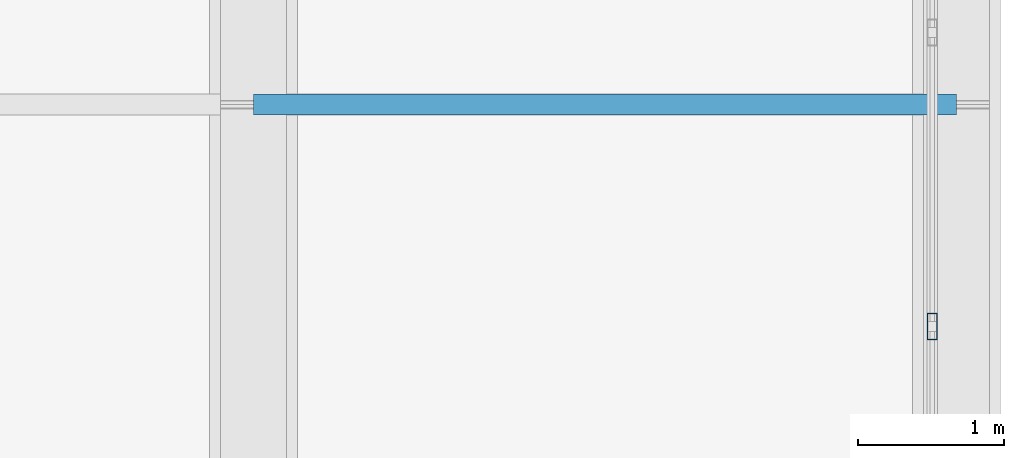
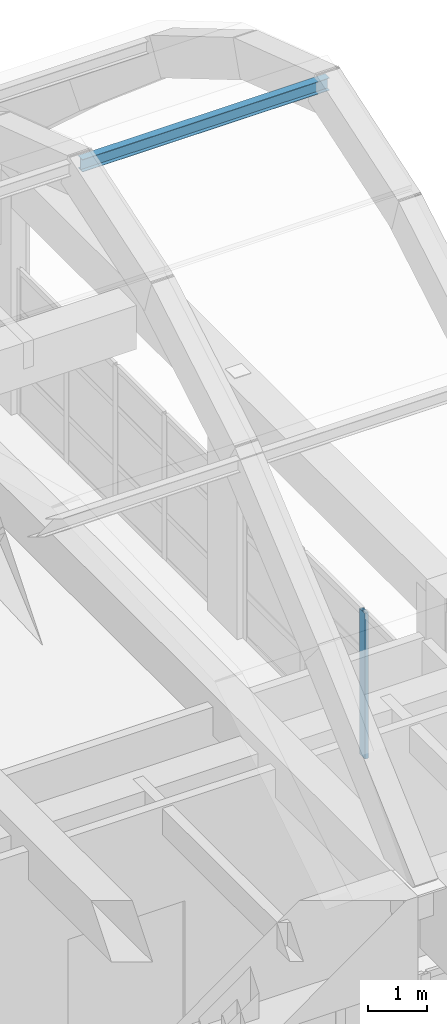
# One storey, part 48 of 78: 2 members, 1 element without a shape of its own.
"""IFC4 building model written with IfcOpenShell, lengths in metres."""

from ifc_helpers import new_model, si_unit, direction, frame, origin, origin_2d, place, context, subcontext, project, spatial, hollow_rectangle, i_section, extrude, material, layer, layer_set, material_profile, profile_set, type_object, element, aggregate, save


model = new_model("IFC4")

# Units and contexts
model_context = context("Model", 3, precision=1e-05, world=origin(), true_north=direction((0.0, 1.0)))
body_context = subcontext(model_context, "Body", "Model", "MODEL_VIEW")
ifc_project = project(units=[si_unit("LENGTHUNIT", "METRE"), si_unit("AREAUNIT", "SQUARE_METRE"), si_unit("VOLUMEUNIT", "CUBIC_METRE"), si_unit("PLANEANGLEUNIT", "RADIAN"), si_unit("MASSUNIT", "GRAM", prefix="KILO")], contexts=[model_context])

# Site, building, storey
site_placement = place(None, origin())
site = spatial("IfcSite", under=ifc_project, at=site_placement, CompositionType="ELEMENT")
building_placement = place(site_placement, origin())
building = spatial("IfcBuilding", under=site, at=building_placement, Name="Quendrovan Civic Courthouse", CompositionType="ELEMENT")
storey_placement = place(building_placement, frame((0.0, 0.0, 20.39990234375)))
storey = spatial("IfcBuildingStorey", under=building, at=storey_placement, Name="L05", CompositionType="ELEMENT", Elevation=20.39990234375)

# Curtain wall, member
ifc_material_1 = material(Name="Bronze anodised aluminium and low-E glass", Category="aluminium")
ifc_layer = layer(ifc_material_1, 0.179931640625, Name="Bronze anodised aluminium and low-E glass")
ifc_layer_set = layer_set([ifc_layer], Name="Bronze anodised aluminium and low-E glass")
curtain_wall_type = type_object("IfcCurtainWallType", Name="CW-U60x30", PredefinedType="USERDEFINED", material=ifc_layer_set)
curtain_wall_placement = place(storey_placement, origin())
curtain_wall = element("IfcCurtainWall", 1, at=curtain_wall_placement, inside=storey, type_object=curtain_wall_type, Name="L05 Unitised Hurricane Curtain Wall CW-196", ObjectType="UNITISED CURTAIN WALL", PredefinedType="USERDEFINED")
ifc_material_2 = material(Name="Bronze anodised aluminium", Category="aluminium")
ifc_material_profile_1 = material_profile(ifc_material_2, hollow_rectangle(XDim=0.070068359375, YDim=0.179931640625, WallThickness=0.00390625, at=origin_2d()), Name="CW-MULL-70x180")
ifc_profile_set_1 = profile_set([ifc_material_profile_1], Name="Bronze anodised aluminium")
member_type_1 = type_object("IfcMemberType", Name="CW-MULL-A", PredefinedType="MULLION", material=ifc_profile_set_1)
member_1_placement = place(storey_placement, frame((142.635009765625, 97.4833984375, 0.0), z_axis=(0.0, 0.0, 1.0), x_axis=(1.0, 0.0, 0.0)))
member_1 = element("IfcMember", 2, at=member_1_placement, type_object=member_type_1, Name="CW-196 mullion 3", PredefinedType="MULLION", context=body_context, shape_type="SweptSolid", body=[
    extrude(hollow_rectangle(XDim=0.070068359375, YDim=0.179931640625, WallThickness=0.00390625, at=origin_2d()), origin(), (0.0, 0.0, 1.0), 2.989990234375),
])
aggregate(curtain_wall, [member_1])

# Member
ifc_material_3 = material(Name="Steel ASTM A992 Grade 50", Category="steel")
ifc_material_profile_2 = material_profile(ifc_material_3, i_section(OverallWidth=0.14599609375, OverallDepth=0.258056640625, WebThickness=0.006103515625, FlangeThickness=0.009033203125, at=origin_2d()), Name="W250x33")
ifc_profile_set_2 = profile_set([ifc_material_profile_2], Name="Steel ASTM A992 Grade 50")
member_type_2 = type_object("IfcMemberType", Name="MEM-PUR-W250", PredefinedType="PURLIN", material=ifc_profile_set_2)
member_2_placement = place(storey_placement, frame((138.0, 99.0, 12.860107421875), z_axis=(1.0, 0.0, 0.0), x_axis=(0.0, 1.0, 0.0)))
element("IfcMember", 3, at=member_2_placement, inside=storey, type_object=member_type_2, Name="BV1 Vault Longitudinal Purlin B7-2", PredefinedType="PURLIN", context=body_context, shape_type="SweptSolid", body=[
    extrude(i_section(OverallWidth=0.14599609375, OverallDepth=0.258056640625, WebThickness=0.006103515625, FlangeThickness=0.009033203125, at=origin_2d()), origin(), (0.0, 0.0, 1.0), 4.800048828125),
])

save(model, "model.ifc")
